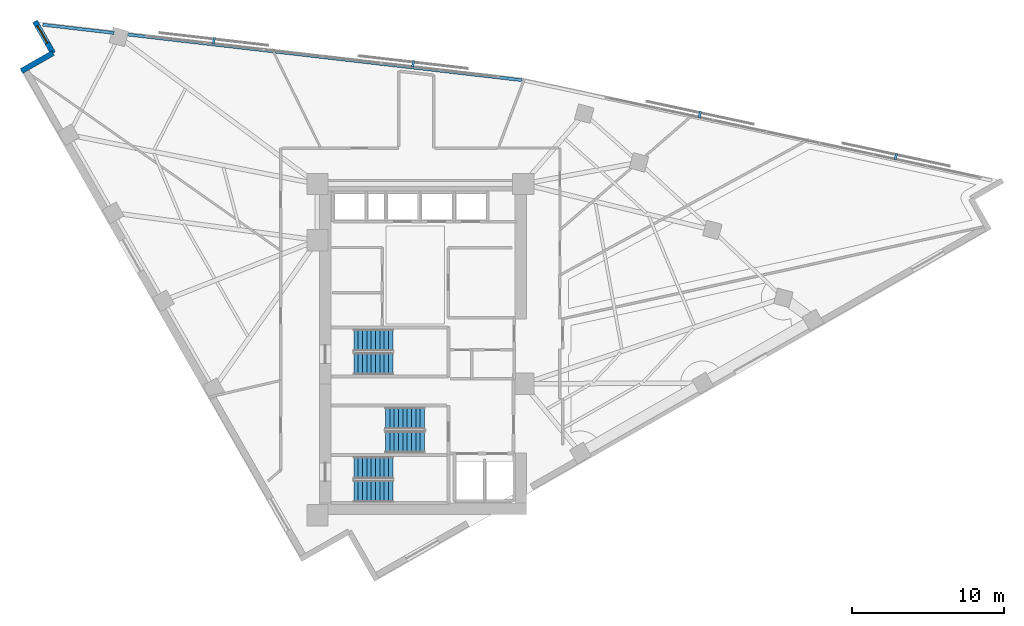
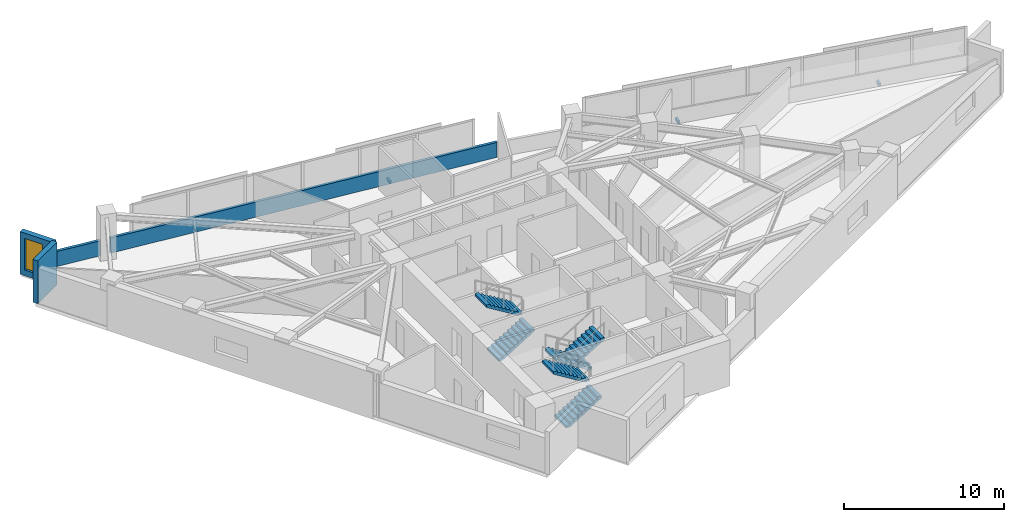
# One storey, part 12 of 14: 6 stair flights, 4 discrete accessories, 4 walls, 1 window, 1 opening, 3 elements without a shape of their own.
"""IFC4 building model written with IfcOpenShell, lengths in metres."""

from ifc_helpers import new_model, si_unit, direction, frame, frame_2d, origin, origin_2d, place, context, subcontext, project, spatial, polyline, rectangle, outline, extrude, material, layer, layer_set, type_object, element, fill, aggregate, save


model = new_model("IFC4")

# Units and contexts
model_context = context("Model", 3, precision=1e-05, world=origin(), true_north=direction((0.0, 1.0)))
body_context = subcontext(model_context, "Body", "Model", "MODEL_VIEW")
ifc_project = project(units=[si_unit("LENGTHUNIT", "METRE"), si_unit("AREAUNIT", "SQUARE_METRE"), si_unit("VOLUMEUNIT", "CUBIC_METRE"), si_unit("PLANEANGLEUNIT", "RADIAN"), si_unit("MASSUNIT", "GRAM", prefix="KILO")], contexts=[model_context])

# Site, building, storey
site_placement = place(None, origin())
site = spatial("IfcSite", under=ifc_project, at=site_placement, CompositionType="ELEMENT")
building_placement = place(site_placement, origin())
building = spatial("IfcBuilding", under=site, at=building_placement, Name="Narakoshi Arena Tower", CompositionType="ELEMENT")
storey_placement = place(building_placement, frame((0.0, 0.0, 214.97998046875)))
storey = spatial("IfcBuildingStorey", under=building, at=storey_placement, Name="L58", CompositionType="ELEMENT", Elevation=214.97998046875)

# Walls
ifc_material_1 = material(Name="Precast concrete C45/55", Category="concrete")
ifc_layer_1 = layer(ifc_material_1, 0.25)
ifc_layer_set_1 = layer_set([ifc_layer_1], Name="Precast concrete C45/55")
wall_type_1 = type_object("IfcWallType", Name="WL-PARA-250", PredefinedType="PARAPET", material=ifc_layer_set_1)
wall_1_placement = place(storey_placement, frame((85.42431640625, 63.33837890625, 0.0), z_axis=(0.0, 0.0, 1.0), x_axis=(-0.993364714048, 0.115006716693, 0.0)))
element("IfcWall", 1, at=wall_1_placement, inside=storey, type_object=wall_type_1, Name="L58 Hypotenuse Sill Upstand Parapet 2-01", PredefinedType="PARAPET", context=body_context, shape_type="SweptSolid", body=[
    extrude(rectangle(XDim=26.302001953125, YDim=0.199951171875, at=frame_2d((13.15087890625, 0.0))), origin(), (0.0, 0.0, 1.0), 1.14990234375),
])
wall_2_placement = place(storey_placement, frame((58.621826171875, 66.44140625, 0.0), z_axis=(0.0, 0.0, 1.0), x_axis=(-0.993362937665, 0.115022059074, 0.0)))
element("IfcWall", 2, at=wall_2_placement, inside=storey, type_object=wall_type_1, Name="L58 Hypotenuse Sill Upstand Parapet 2-02", PredefinedType="PARAPET", context=body_context, shape_type="SweptSolid", body=[
    extrude(rectangle(XDim=4.72705078125, YDim=0.199951171875, at=frame_2d((2.363525390625, 0.0))), origin(), (0.0, 0.0, 1.0), 1.14990234375),
])

# Wall, opening, window
ifc_layer_2 = layer(ifc_material_1, 0.419921875)
ifc_layer_set_2 = layer_set([ifc_layer_2], Name="Precast concrete C45/55")
wall_type_2 = type_object("IfcWallType", Name="WL-POD-420", PredefinedType="SOLIDWALL", material=ifc_layer_set_2)
wall_3_placement = place(storey_placement, frame((53.408203125, 67.2060546875, 0.0), z_axis=(0.0, 0.0, 1.0), x_axis=(0.496292324652, -0.868155474838, 0.0)))
wall_3 = element("IfcWall", 3, at=wall_3_placement, inside=storey, type_object=wall_type_2, Name="L58 Re-Entrant Corner Notch Wall NTN-1", PredefinedType="SOLIDWALL", context=body_context, shape_type="SweptSolid", body=[
    extrude(rectangle(XDim=2.399658203125, YDim=0.360107421875, at=frame_2d((1.19970703125, 0.0))), origin(), (0.0, 0.0, 1.0), 3.260009765625),
])
opening_placement = place(wall_3_placement, frame((0.340087890625, 0.0, 0.449951171875)))
opening = element("IfcOpeningElement", 4, at=opening_placement, cuts=wall_3, Name="Opening WN-06", PredefinedType="OPENING", context=body_context, shape_type="SweptSolid", body=[
    extrude(rectangle(XDim=1.300048828125, YDim=2.39990234375, at=frame_2d((0.64990234375, 1.199951171875))), frame((0.0, 0.18994140625, 0.0), z_axis=(0.0, -1.0, 0.0), x_axis=(1.0, 0.0, 0.0)), (0.0, 0.0, 1.0), 0.380126953125),
])
ifc_material_2 = material(Name="Bronze-tinted low-E laminated glass", Category="glass")
window_type = type_object("IfcWindowType", Name="WIN-NTC-16x24", PartitioningType="SINGLE_PANEL", PredefinedType="WINDOW", material=ifc_material_2)
window_placement = place(opening_placement, origin())
window = element("IfcWindow", 5, at=window_placement, inside=storey, type_object=window_type, Name="L58 Corner Notch Window NTN", OverallHeight=2.39990234375, OverallWidth=1.300048828125, PartitioningType="SINGLE_PANEL", PredefinedType="WINDOW", context=body_context, shape_type="SweptSolid", body=[
    extrude(rectangle(XDim=1.300048828125, YDim=2.39990234375, at=frame_2d((0.64990234375, 1.199951171875))), frame((0.0, 0.030029296875, 0.0), z_axis=(0.0, -1.0, 0.0), x_axis=(1.0, 0.0, 0.0)), (0.0, 0.0, 1.0), 0.06005859375),
])
fill(opening, window)

# Wall
wall_4_placement = place(storey_placement, frame((54.59912109375, 65.122802734375, 0.0), z_axis=(0.0, 0.0, 1.0), x_axis=(-0.86818053093, -0.4962484919, 0.0)))
element("IfcWall", 6, at=wall_4_placement, inside=storey, type_object=wall_type_2, Name="L58 Re-Entrant Corner Notch Wall NTN-2", PredefinedType="SOLIDWALL", context=body_context, shape_type="SweptSolid", body=[
    extrude(rectangle(XDim=2.39990234375, YDim=0.360107421875, at=frame_2d((1.199951171875, 0.0))), origin(), (0.0, 0.0, 1.0), 3.260009765625),
])

# Stair, stair flights
ifc_material_3 = material(Name="Concrete C45/55", Category="concrete")
stair_type = type_object("IfcStairType", Name="STR-CORE-352", PredefinedType="TWO_STRAIGHT_RUN_STAIR", material=ifc_material_3)
stair_1_placement = place(storey_placement, origin())
stair_1 = element("IfcStair", 7, at=stair_1_placement, inside=storey, type_object=stair_type, Name="L58 Core Escape Stair ST1", PredefinedType="TWO_STRAIGHT_RUN_STAIR")
stair_flight_type = type_object("IfcStairFlightType", Name="FLT-145-160", PredefinedType="STRAIGHT", material=ifc_material_1)
stair_flight_1_placement = place(storey_placement, frame((74.39990234375, 36.27490234375, 0.0), z_axis=(0.0, 0.0, 1.0), x_axis=(1.0, 0.0, 0.0)))
stair_flight_1 = element("IfcStairFlight", 8, at=stair_flight_1_placement, type_object=stair_flight_type, Name="ST1 flight 1", NumberOfRisers=10, NumberOfTreads=9, PredefinedType="STRAIGHT", RiserHeight=0.176, TreadLength=0.285, context=body_context, shape_type="SweptSolid", body=[
    extrude(outline(polyline([(0.0, 0.0), (0.0, 0.176025390625), (0.284912109375, 0.176025390625), (0.284912109375, 0.35205078125), (0.570068359375, 0.35205078125), (0.570068359375, 0.528076171875), (0.85498046875, 0.528076171875), (0.85498046875, 0.7041015625), (1.139892578125, 0.7041015625), (1.139892578125, 0.8798828125), (1.425048828125, 0.8798828125), (1.425048828125, 1.055908203125), (1.7099609375, 1.055908203125), (1.7099609375, 1.23193359375), (1.9951171875, 1.23193359375), (1.9951171875, 1.407958984375), (2.280029296875, 1.407958984375), (2.280029296875, 1.583984375), (2.56494140625, 1.583984375), (2.56494140625, 1.760009765625), (2.56494140625, 1.40771484375), (0.285400390625, 0.0), (0.0, 0.0)])), frame((0.0, 0.72509765625, 0.0), z_axis=(0.0, -1.0, 0.0), x_axis=(1.0, 0.0, 0.0)), (0.0, 0.0, 1.0), 1.449951171875),
])
stair_flight_2_placement = place(storey_placement, frame((76.965087890625, 37.824951171875, 1.760009765625), z_axis=(0.0, 0.0, 1.0), x_axis=(-1.0, 0.0, 0.0)))
stair_flight_2 = element("IfcStairFlight", 9, at=stair_flight_2_placement, type_object=stair_flight_type, Name="ST1 flight 2", NumberOfRisers=10, NumberOfTreads=9, PredefinedType="STRAIGHT", RiserHeight=0.176, TreadLength=0.285, context=body_context, shape_type="SweptSolid", body=[
    extrude(outline(polyline([(0.0, 0.0), (0.0, 0.176025390625), (0.284912109375, 0.176025390625), (0.284912109375, 0.35205078125), (0.570068359375, 0.35205078125), (0.570068359375, 0.528076171875), (0.85498046875, 0.528076171875), (0.85498046875, 0.7041015625), (1.139892578125, 0.7041015625), (1.139892578125, 0.8798828125), (1.425048828125, 0.8798828125), (1.425048828125, 1.055908203125), (1.7099609375, 1.055908203125), (1.7099609375, 1.23193359375), (1.9951171875, 1.23193359375), (1.9951171875, 1.407958984375), (2.280029296875, 1.407958984375), (2.280029296875, 1.583984375), (2.56494140625, 1.583984375), (2.56494140625, 1.760009765625), (2.56494140625, 1.40771484375), (0.285400390625, 0.0), (0.0, 0.0)])), frame((0.0, 0.72509765625, 0.0), z_axis=(0.0, -1.0, 0.0), x_axis=(1.0, 0.0, 0.0)), (0.0, 0.0, 1.0), 1.449951171875),
])
aggregate(stair_1, [stair_flight_1, stair_flight_2])

stair_2_placement = place(storey_placement, origin())
stair_2 = element("IfcStair", 10, at=stair_2_placement, inside=storey, type_object=stair_type, Name="L58 Core Escape Stair ST2", PredefinedType="TWO_STRAIGHT_RUN_STAIR")
stair_flight_3_placement = place(storey_placement, frame((79.050048828125, 41.074951171875, 0.0), z_axis=(0.0, 0.0, 1.0), x_axis=(-1.0, 0.0, 0.0)))
stair_flight_3 = element("IfcStairFlight", 11, at=stair_flight_3_placement, type_object=stair_flight_type, Name="ST2 flight 1", NumberOfRisers=10, NumberOfTreads=9, PredefinedType="STRAIGHT", RiserHeight=0.176, TreadLength=0.285, context=body_context, shape_type="SweptSolid", body=[
    extrude(outline(polyline([(0.0, 0.0), (0.0, 0.176025390625), (0.284912109375, 0.176025390625), (0.284912109375, 0.35205078125), (0.570068359375, 0.35205078125), (0.570068359375, 0.528076171875), (0.85498046875, 0.528076171875), (0.85498046875, 0.7041015625), (1.139892578125, 0.7041015625), (1.139892578125, 0.8798828125), (1.425048828125, 0.8798828125), (1.425048828125, 1.055908203125), (1.7099609375, 1.055908203125), (1.7099609375, 1.23193359375), (1.9951171875, 1.23193359375), (1.9951171875, 1.407958984375), (2.280029296875, 1.407958984375), (2.280029296875, 1.583984375), (2.56494140625, 1.583984375), (2.56494140625, 1.760009765625), (2.56494140625, 1.40771484375), (0.285400390625, 0.0), (0.0, 0.0)])), frame((0.0, 0.72509765625, 0.0), z_axis=(0.0, -1.0, 0.0), x_axis=(1.0, 0.0, 0.0)), (0.0, 0.0, 1.0), 1.449951171875),
])
stair_flight_4_placement = place(storey_placement, frame((76.485107421875, 39.52490234375, 1.760009765625), z_axis=(0.0, 0.0, 1.0), x_axis=(1.0, 0.0, 0.0)))
stair_flight_4 = element("IfcStairFlight", 12, at=stair_flight_4_placement, type_object=stair_flight_type, Name="ST2 flight 2", NumberOfRisers=10, NumberOfTreads=9, PredefinedType="STRAIGHT", RiserHeight=0.176, TreadLength=0.285, context=body_context, shape_type="SweptSolid", body=[
    extrude(outline(polyline([(0.0, 0.0), (0.0, 0.176025390625), (0.284912109375, 0.176025390625), (0.284912109375, 0.35205078125), (0.570068359375, 0.35205078125), (0.570068359375, 0.528076171875), (0.85498046875, 0.528076171875), (0.85498046875, 0.7041015625), (1.139892578125, 0.7041015625), (1.139892578125, 0.8798828125), (1.425048828125, 0.8798828125), (1.425048828125, 1.055908203125), (1.7099609375, 1.055908203125), (1.7099609375, 1.23193359375), (1.9951171875, 1.23193359375), (1.9951171875, 1.407958984375), (2.280029296875, 1.407958984375), (2.280029296875, 1.583984375), (2.56494140625, 1.583984375), (2.56494140625, 1.760009765625), (2.56494140625, 1.40771484375), (0.285400390625, 0.0), (0.0, 0.0)])), frame((0.0, 0.72509765625, 0.0), z_axis=(0.0, -1.0, 0.0), x_axis=(1.0, 0.0, 0.0)), (0.0, 0.0, 1.0), 1.449951171875),
])
aggregate(stair_2, [stair_flight_3, stair_flight_4])

stair_3_placement = place(storey_placement, origin())
stair_3 = element("IfcStair", 13, at=stair_3_placement, inside=storey, type_object=stair_type, Name="L58 Core Escape Stair ST3", PredefinedType="TWO_STRAIGHT_RUN_STAIR")
stair_flight_5_placement = place(storey_placement, frame((74.39990234375, 44.675048828125, 0.0), z_axis=(0.0, 0.0, 1.0), x_axis=(1.0, 0.0, 0.0)))
stair_flight_5 = element("IfcStairFlight", 14, at=stair_flight_5_placement, type_object=stair_flight_type, Name="ST3 flight 1", NumberOfRisers=10, NumberOfTreads=9, PredefinedType="STRAIGHT", RiserHeight=0.176, TreadLength=0.285, context=body_context, shape_type="SweptSolid", body=[
    extrude(outline(polyline([(0.0, 0.0), (0.0, 0.176025390625), (0.284912109375, 0.176025390625), (0.284912109375, 0.35205078125), (0.570068359375, 0.35205078125), (0.570068359375, 0.528076171875), (0.85498046875, 0.528076171875), (0.85498046875, 0.7041015625), (1.139892578125, 0.7041015625), (1.139892578125, 0.8798828125), (1.425048828125, 0.8798828125), (1.425048828125, 1.055908203125), (1.7099609375, 1.055908203125), (1.7099609375, 1.23193359375), (1.9951171875, 1.23193359375), (1.9951171875, 1.407958984375), (2.280029296875, 1.407958984375), (2.280029296875, 1.583984375), (2.56494140625, 1.583984375), (2.56494140625, 1.760009765625), (2.56494140625, 1.40771484375), (0.285400390625, 0.0), (0.0, 0.0)])), frame((0.0, 0.72509765625, 0.0), z_axis=(0.0, -1.0, 0.0), x_axis=(1.0, 0.0, 0.0)), (0.0, 0.0, 1.0), 1.449951171875),
])
stair_flight_6_placement = place(storey_placement, frame((76.965087890625, 46.22509765625, 1.760009765625), z_axis=(0.0, 0.0, 1.0), x_axis=(-1.0, 0.0, 0.0)))
stair_flight_6 = element("IfcStairFlight", 15, at=stair_flight_6_placement, type_object=stair_flight_type, Name="ST3 flight 2", NumberOfRisers=10, NumberOfTreads=9, PredefinedType="STRAIGHT", RiserHeight=0.176, TreadLength=0.285, context=body_context, shape_type="SweptSolid", body=[
    extrude(outline(polyline([(0.0, 0.0), (0.0, 0.176025390625), (0.284912109375, 0.176025390625), (0.284912109375, 0.35205078125), (0.570068359375, 0.35205078125), (0.570068359375, 0.528076171875), (0.85498046875, 0.528076171875), (0.85498046875, 0.7041015625), (1.139892578125, 0.7041015625), (1.139892578125, 0.8798828125), (1.425048828125, 0.8798828125), (1.425048828125, 1.055908203125), (1.7099609375, 1.055908203125), (1.7099609375, 1.23193359375), (1.9951171875, 1.23193359375), (1.9951171875, 1.407958984375), (2.280029296875, 1.407958984375), (2.280029296875, 1.583984375), (2.56494140625, 1.583984375), (2.56494140625, 1.760009765625), (2.56494140625, 1.40771484375), (0.285400390625, 0.0), (0.0, 0.0)])), frame((0.0, 0.72509765625, 0.0), z_axis=(0.0, -1.0, 0.0), x_axis=(1.0, 0.0, 0.0)), (0.0, 0.0, 1.0), 1.449951171875),
])
aggregate(stair_3, [stair_flight_5, stair_flight_6])

# Discrete accessories
ifc_material_4 = material(Name="Structural steel S355J2", Category="steel")
discrete_accessory_type = type_object("IfcDiscreteAccessoryType", Name="ACC-BRK-SCR", PredefinedType="BRACKET", material=ifc_material_4)
for number, where, z_axis, x_axis, name in (
    (16, (110.078125, 58.316650390625, -0.080078125), (0.0, 0.0, 1.0), (-0.977936632473, 0.208901754101, 0.0), "L58 Solar Screen Support Bracket SHD-L58-SCR1-1"),
    (17, (97.169189453125, 61.07421875, -0.080078125), (0.0, 0.0, 1.0), (-0.977936632473, 0.208901754101, 0.0), "L58 Solar Screen Support Bracket SHD-L58-SCR1-2"),
    (18, (78.2998046875, 64.40478515625, -0.080078125), (0.0, 0.0, 1.0), (-0.993364739053, 0.115006500715, 0.0), "L58 Solar Screen Support Bracket SHD-L58-SCR2-1"),
    (19, (65.187255859375, 65.9228515625, -0.080078125), (0.0, 0.0, 1.0), (-0.993364739053, 0.115006500715, 0.0), "L58 Solar Screen Support Bracket SHD-L58-SCR2-2"),
):
    element("IfcDiscreteAccessory", number, at=place(storey_placement, frame(where, z_axis=z_axis, x_axis=x_axis)), inside=storey, type_object=discrete_accessory_type, Name=name, PredefinedType="BRACKET", context=body_context, shape_type="SweptSolid", body=[
        extrude(rectangle(XDim=0.159912109375, YDim=0.43994140625, at=origin_2d()), origin(), (0.0, 0.0, 1.0), 0.199951171875),
    ])

save(model, "model.ifc")
